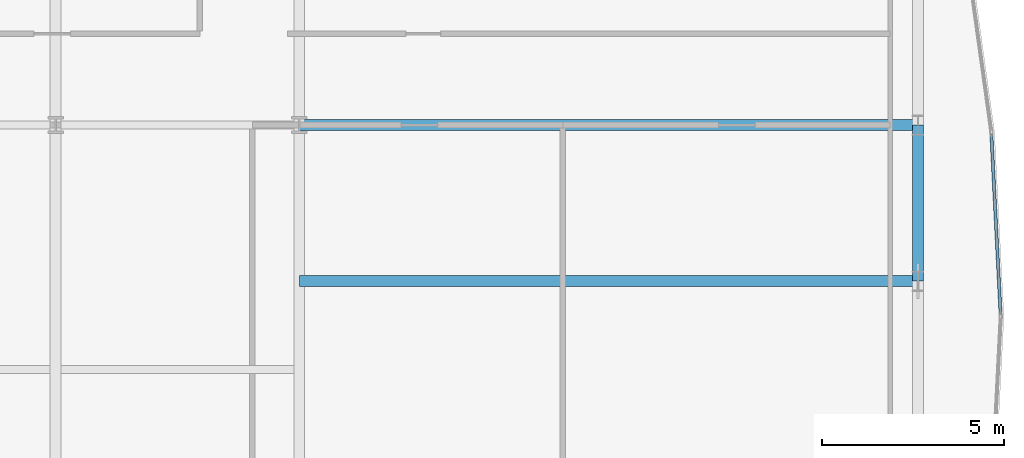
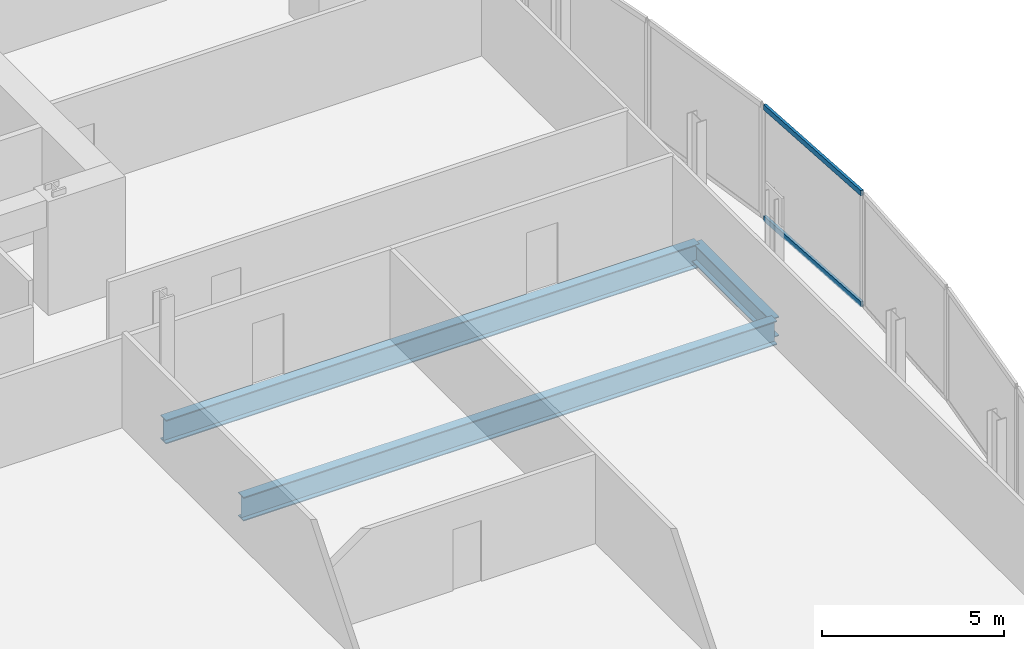
# One storey, part 23 of 37: 3 beams, 2 members, 1 element without a shape of its own.
"""IFC4 building model written with IfcOpenShell, lengths in metres."""

import ifcopenshell
import ifcopenshell.guid

model = None  # the IFC model being written
_history = None  # IfcOwnerHistory: only IFC2X3 demands one
_inside = {}  # id of a spatial element -> (the spatial element, [elements in it])
_under = {}  # id of a project, library or spatial element -> (it, [spatial elements below it])
_declared = {}  # id of a project -> (the project, [libraries it declares])
_typed = {}  # id of a type object -> (the type object, [elements of that type])
_made_of = {}  # id of a material, layer set ... -> (it, [elements and type objects made of it])


def new_model(schema):
    """Start an empty IFC model of exactly this schema.

    Asked for "IFC4X3", IfcOpenShell would pick the latest addendum, in which some entities
    have other attributes; the version numbers below select the first issue.
    IFC2X3 requires an IfcOwnerHistory on every rooted entity: one is made here for all.
    """
    global model, _history
    if schema == "IFC4X3":
        model = ifcopenshell.file(schema_version=(4, 3, 0, 0))
    else:
        model = ifcopenshell.file(schema=schema)
    _inside.clear()
    _under.clear()
    _declared.clear()
    _typed.clear()
    _made_of.clear()
    _history = None
    if model.schema == "IFC2X3":
        org = make("IfcOrganization", Name="unknown")
        user = make(
            "IfcPersonAndOrganization",
            ThePerson=make("IfcPerson", FamilyName="unknown"),
            TheOrganization=org,
        )
        app = make(
            "IfcApplication",
            ApplicationDeveloper=org,
            Version="unknown",
            ApplicationFullName="unknown",
            ApplicationIdentifier="unknown",
        )
        _history = make(
            "IfcOwnerHistory",
            OwningUser=user,
            OwningApplication=app,
            ChangeAction="ADDED",
            CreationDate=0,
        )
    return model


def make(cls, **values):
    """One entity of the class cls with the attributes given. An attribute that is None is left unset."""
    return model.create_entity(
        cls, **{name: value for name, value in values.items() if value is not None}
    )


def rooted(cls, **values):
    """An entity with a GlobalId (a new one), such as an element, a storey or a relation."""
    return make(cls, GlobalId=ifcopenshell.guid.new(), OwnerHistory=_history, **values)


def si_unit(unit_type, name, prefix=None):
    """IfcSIUnit, for example si_unit("LENGTHUNIT", "METRE", prefix="MILLI")."""
    return make("IfcSIUnit", UnitType=unit_type, Prefix=prefix, Name=name)


def assignment(units):
    """IfcUnitAssignment: the units of a project."""
    return None if units is None else make("IfcUnitAssignment", Units=units)


def point(xyz):
    """IfcCartesianPoint."""
    return None if xyz is None else make("IfcCartesianPoint", Coordinates=xyz)


def direction(xyz):
    """IfcDirection."""
    return None if xyz is None else make("IfcDirection", DirectionRatios=xyz)


def frame(location, z_axis=None, x_axis=None):
    """IfcAxis2Placement3D, a coordinate frame: its origin and axes. An axis left out is left unset."""
    return make(
        "IfcAxis2Placement3D",
        Location=point(location),
        Axis=direction(z_axis),
        RefDirection=direction(x_axis),
    )


def frame_2d(location, x_axis=None):
    """IfcAxis2Placement2D, a coordinate frame in the plane: its origin and x axis."""
    return make(
        "IfcAxis2Placement2D", Location=point(location), RefDirection=direction(x_axis)
    )


def origin():
    """The frame at (0, 0, 0) with its axes left unset."""
    return frame((0.0, 0.0, 0.0))


def origin_2d():
    """The frame at (0, 0) in the plane with its x axis left unset."""
    return frame_2d((0.0, 0.0))


def place(relative_to, where):
    """IfcLocalPlacement: puts the frame where relative to a parent placement (None: the world)."""
    return make(
        "IfcLocalPlacement", PlacementRelTo=relative_to, RelativePlacement=where
    )


def context(
    kind, dimensions, precision=None, world=None, true_north=None, identifier=None
):
    """IfcGeometricRepresentationContext, for example the 3D "Model" context."""
    return make(
        "IfcGeometricRepresentationContext",
        ContextIdentifier=identifier,
        ContextType=kind,
        CoordinateSpaceDimension=dimensions,
        Precision=precision,
        WorldCoordinateSystem=world,
        TrueNorth=true_north,
    )


def subcontext(parent, identifier, kind, view, scale=None):
    """IfcGeometricRepresentationSubContext, for example "Body" below "Model"."""
    return make(
        "IfcGeometricRepresentationSubContext",
        ContextIdentifier=identifier,
        ContextType=kind,
        ParentContext=parent,
        TargetScale=scale,
        TargetView=view,
    )


def project(units=None, contexts=None):
    """IfcProject with its units and contexts."""
    return rooted(
        "IfcProject",
        Name="project",
        RepresentationContexts=contexts,
        UnitsInContext=assignment(units),
    )


def spatial(cls, under=None, at=None, **own):
    """A site, building, storey or space (cls), placed at a placement, below another one or the project."""
    s = rooted(cls, ObjectPlacement=at, **own)
    if under is not None:
        _under.setdefault(under.id(), (under, []))[1].append(s)
    return s


def profile(cls, at=None, kind="AREA", **sizes):
    """A parametric profile (cls). Its sizes go by their IFC names, for example OverallWidth=200.0."""
    return make(cls, ProfileType=kind, Position=at, **sizes)


def hollow_rectangle(**sizes):
    """IfcRectangleHollowProfileDef."""
    return profile("IfcRectangleHollowProfileDef", **sizes)


def i_section(**sizes):
    """IfcIShapeProfileDef."""
    return profile("IfcIShapeProfileDef", **sizes)


def extrude(swept, where, along, depth):
    """IfcExtrudedAreaSolid: the profile swept, set in the frame where, extruded along a direction by depth."""
    return make(
        "IfcExtrudedAreaSolid",
        SweptArea=swept,
        Position=where,
        ExtrudedDirection=direction(along),
        Depth=depth,
    )


def shape(context_of_items, identifier, shape_type, items):
    """IfcShapeRepresentation: the items that make up one representation, for example the "Body"."""
    return make(
        "IfcShapeRepresentation",
        ContextOfItems=context_of_items,
        RepresentationIdentifier=identifier,
        RepresentationType=shape_type,
        Items=items,
    )


def material(Name=None, Category=None):
    """IfcMaterial."""
    return make("IfcMaterial", Name=Name, Category=Category)


def material_profile(
    of_material, cross_section, Name=None, Category=None, Priority=None
):
    """IfcMaterialProfile: a cross section and its material."""
    return make(
        "IfcMaterialProfile",
        Name=Name,
        Material=of_material,
        Profile=cross_section,
        Priority=Priority,
        Category=Category,
    )


def profile_set(profiles, Name=None, composite=None):
    """IfcMaterialProfileSet."""
    return make(
        "IfcMaterialProfileSet",
        Name=Name,
        MaterialProfiles=profiles,
        CompositeProfile=composite,
    )


def made_of(thing, what):
    """Note that an element or type object is made of a material, layer set ...; save() writes the relation."""
    if what is not None:
        _made_of.setdefault(what.id(), (what, []))[1].append(thing)
    return thing


def type_object(cls, material=None, **own):
    """A type object (cls), such as IfcWallType, which elements share."""
    return made_of(rooted(cls, **own), material)


def element(
    cls,
    number,
    at=None,
    inside=None,
    cuts=None,
    type_object=None,
    material=None,
    context=None,
    identifier="Body",
    shape_type=None,
    held_by="IfcProductDefinitionShape",
    body=None,
    shapes=None,
    **own,
):
    """One element of the class cls, such as IfcWall. Its Tag is "e" and its number.

    at: its placement. inside: the storey or other place that contains it. cuts: it is an
    opening in that element (IfcRelVoidsElement). A single representation is given by context,
    identifier, shape_type and body (its items); several are given by shapes. held_by: the class
    of the entity that holds the representations. save() writes the other relations.
    """
    e = rooted(cls, Tag="e%d" % number, ObjectPlacement=at, **own)
    if body is not None:
        shapes = [shape(context, identifier, shape_type, body)]
    if shapes is not None:
        e.Representation = make(held_by, Representations=shapes)
    if inside is not None:
        _inside.setdefault(inside.id(), (inside, []))[1].append(e)
    if cuts is not None:
        rooted(
            "IfcRelVoidsElement", RelatingBuildingElement=cuts, RelatedOpeningElement=e
        )
    if type_object is not None:
        _typed.setdefault(type_object.id(), (type_object, []))[1].append(e)
    return made_of(e, material)


def aggregate(whole, parts):
    """IfcRelAggregates: a whole, such as a stair, and the parts it consists of."""
    return rooted("IfcRelAggregates", RelatingObject=whole, RelatedObjects=parts)


def save(model, path):
    """Write the relations noted so far, then the file.

    IfcRelAggregates (storeys below a building ...), IfcRelContainedInSpatialStructure (elements
    in a storey), IfcRelDefinesByType, IfcRelAssociatesMaterial and IfcRelDeclares: one each for
    every whole, place, type object, material and project.
    """
    for whole, parts in _under.values():
        aggregate(whole, parts)
    for where, things in _inside.values():
        rooted(
            "IfcRelContainedInSpatialStructure",
            RelatedElements=things,
            RelatingStructure=where,
        )
    for kind, things in _typed.values():
        rooted("IfcRelDefinesByType", RelatedObjects=things, RelatingType=kind)
    for what, things in _made_of.values():
        rooted("IfcRelAssociatesMaterial", RelatedObjects=things, RelatingMaterial=what)
    for by, libraries in _declared.values():
        rooted("IfcRelDeclares", RelatingContext=by, RelatedDefinitions=libraries)
    model.write(path)


model = new_model("IFC4")

# Units and contexts
model_context = context("Model", 3, precision=1e-05, world=origin(), true_north=direction((0.0, 1.0)))
body_context = subcontext(model_context, "Body", "Model", "MODEL_VIEW")
ifc_project = project(units=[si_unit("LENGTHUNIT", "METRE"), si_unit("AREAUNIT", "SQUARE_METRE"), si_unit("VOLUMEUNIT", "CUBIC_METRE"), si_unit("PLANEANGLEUNIT", "RADIAN"), si_unit("MASSUNIT", "GRAM", prefix="KILO")], contexts=[model_context])

# Site, building, storey
site_placement = place(None, origin())
site = spatial("IfcSite", under=ifc_project, at=site_placement, CompositionType="ELEMENT")
building_placement = place(site_placement, origin())
building = spatial("IfcBuilding", under=site, at=building_placement, Name="Khoronbel Lancet Exchange", CompositionType="ELEMENT")
storey_placement = place(building_placement, frame((0.0, 0.0, 45.800048828125)))
storey = spatial("IfcBuildingStorey", under=building, at=storey_placement, Name="L10", CompositionType="ELEMENT", Elevation=45.800048828125)

# Beams
ifc_material_1 = material(Name="Steel S355", Category="steel")
ifc_material_profile_1 = material_profile(ifc_material_1, i_section(OverallWidth=0.300048828125, OverallDepth=0.800048828125, WebThickness=0.017578125, FlangeThickness=0.032958984375, at=origin_2d()), Name="HEB 800")
ifc_profile_set_1 = profile_set([ifc_material_profile_1], Name="Steel S355")
beam_type_1 = type_object("IfcBeamType", Name="BM-BG2", PredefinedType="BEAM", material=ifc_profile_set_1)
for number, where, z_axis, x_axis, name in (
    (1, (54.675048828125, 31.425048828125, -0.580078125), (1.0, 0.0, 0.0), (0.0, 1.0, 0.0), "Level L10 east lens tie girder LG2E"),
    (2, (54.675048828125, 35.699951171875, -0.580078125), (1.0, 0.0, 0.0), (0.0, 1.0, 0.0), "Level L10 east lens tie girder LG4E"),
):
    element("IfcBeam", number, at=place(storey_placement, frame(where, z_axis=z_axis, x_axis=x_axis)), inside=storey, type_object=beam_type_1, Name=name, PredefinedType="BEAM", context=body_context, shape_type="SweptSolid", body=[
        extrude(i_section(OverallWidth=0.300048828125, OverallDepth=0.800048828125, WebThickness=0.017578125, FlangeThickness=0.032958984375, at=origin_2d()), origin(), (0.0, 0.0, 1.0), 16.954833984375),
    ])
ifc_material_profile_2 = material_profile(ifc_material_1, i_section(OverallWidth=0.300048828125, OverallDepth=0.64990234375, WebThickness=0.01611328125, FlangeThickness=0.031005859375, at=origin_2d()), Name="HEB 650")
ifc_profile_set_2 = profile_set([ifc_material_profile_2], Name="Steel S355")
beam_type_2 = type_object("IfcBeamType", Name="BM-BSP1", PredefinedType="SPANDREL", material=ifc_profile_set_2)
beam_placement = place(storey_placement, frame((71.6298828125, 31.425048828125, -0.505126953125), z_axis=(0.0, 1.0, 0.0), x_axis=(-1.0, 0.0, 0.0)))
element("IfcBeam", 3, at=beam_placement, inside=storey, type_object=beam_type_2, Name="Level L10 perimeter spandrel beam SP13", PredefinedType="SPANDREL", context=body_context, shape_type="SweptSolid", body=[
    extrude(i_section(OverallWidth=0.300048828125, OverallDepth=0.64990234375, WebThickness=0.01611328125, FlangeThickness=0.031005859375, at=origin_2d()), origin(), (0.0, 0.0, 1.0), 4.27490234375),
])

# Curtain wall, members
ifc_material_2 = material(Name="Low-E Solar Control Insulating Glass", Category="glass")
curtain_wall_type = type_object("IfcCurtainWallType", Name="CW-4", PredefinedType="NOTDEFINED", material=ifc_material_2)
curtain_wall_placement = place(storey_placement, origin())
curtain_wall = element("IfcCurtainWall", 4, at=curtain_wall_placement, inside=storey, type_object=curtain_wall_type, Name="Unitised curtain wall CW-L10-E19", PredefinedType="NOTDEFINED")
ifc_material_3 = material(Name="Bronze-Anodised Aluminium 6063-T6", Category="aluminium")
ifc_material_profile_3 = material_profile(ifc_material_3, hollow_rectangle(XDim=0.0849609375, YDim=0.179931640625, WallThickness=0.0048828125, at=origin_2d()), Name="ALU TRANSOM 85x180")
ifc_profile_set_3 = profile_set([ifc_material_profile_3], Name="Bronze-Anodised Aluminium 6063-T6")
member_type = type_object("IfcMemberType", Name="MEM-CWT1", PredefinedType="USERDEFINED", material=ifc_profile_set_3)
member_1_placement = place(storey_placement, frame((73.64404296875, 35.449951171875, 0.04248046875), z_axis=(0.051090677002, -0.998694018568, 0.0), x_axis=(0.998694018568, 0.051090677002, 0.0)))
member_1 = element("IfcMember", 5, at=member_1_placement, type_object=member_type, Name="CW4 transom 1.1", ObjectType="TRANSOM", PredefinedType="USERDEFINED", context=body_context, shape_type="SweptSolid", body=[
    extrude(hollow_rectangle(XDim=0.0849609375, YDim=0.179931640625, WallThickness=0.0048828125, at=origin_2d()), origin(), (0.0, 0.0, 1.0), 4.931396484375),
])
member_2_placement = place(storey_placement, frame((73.64404296875, 35.449951171875, 3.77734375), z_axis=(0.051090677002, -0.998694018568, 0.0), x_axis=(0.998694018568, 0.051090677002, 0.0)))
member_2 = element("IfcMember", 6, at=member_2_placement, type_object=member_type, Name="CW4 transom 1.2", ObjectType="TRANSOM", PredefinedType="USERDEFINED", context=body_context, shape_type="SweptSolid", body=[
    extrude(hollow_rectangle(XDim=0.0849609375, YDim=0.179931640625, WallThickness=0.0048828125, at=origin_2d()), origin(), (0.0, 0.0, 1.0), 4.931396484375),
])
aggregate(curtain_wall, [member_1, member_2])

save(model, "model.ifc")
